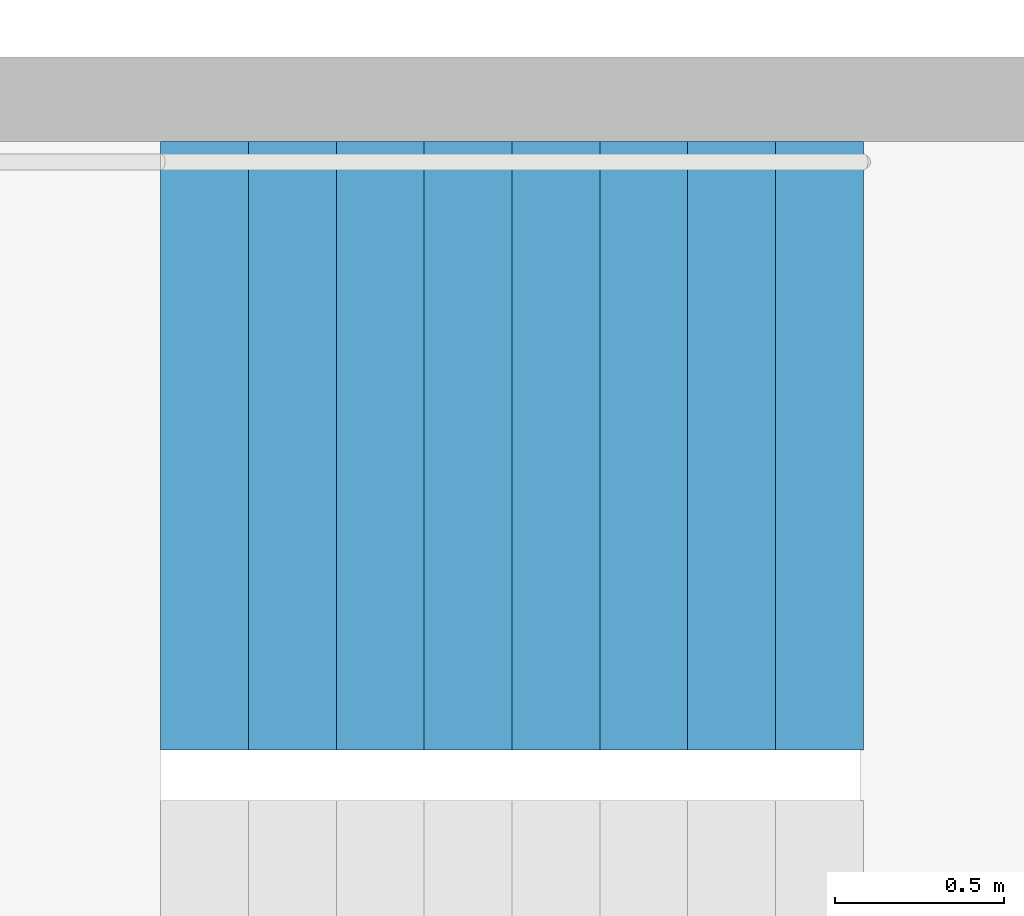
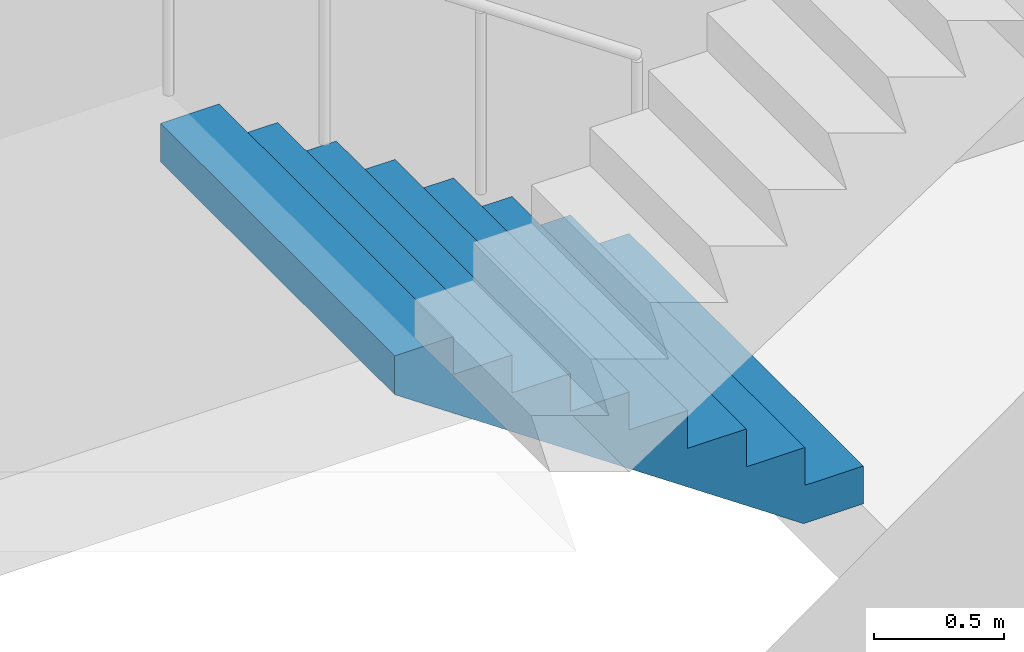
# One storey, part 20 of 27: 1 stair flight, 1 element without a shape of its own.
"""IFC4 building model written with IfcOpenShell, lengths in metres."""

import ifcopenshell
import ifcopenshell.guid

model = None  # the IFC model being written
_history = None  # IfcOwnerHistory: only IFC2X3 demands one
_inside = {}  # id of a spatial element -> (the spatial element, [elements in it])
_under = {}  # id of a project, library or spatial element -> (it, [spatial elements below it])
_declared = {}  # id of a project -> (the project, [libraries it declares])
_typed = {}  # id of a type object -> (the type object, [elements of that type])
_made_of = {}  # id of a material, layer set ... -> (it, [elements and type objects made of it])


def new_model(schema):
    """Start an empty IFC model of exactly this schema.

    Asked for "IFC4X3", IfcOpenShell would pick the latest addendum, in which some entities
    have other attributes; the version numbers below select the first issue.
    IFC2X3 requires an IfcOwnerHistory on every rooted entity: one is made here for all.
    """
    global model, _history
    if schema == "IFC4X3":
        model = ifcopenshell.file(schema_version=(4, 3, 0, 0))
    else:
        model = ifcopenshell.file(schema=schema)
    _inside.clear()
    _under.clear()
    _declared.clear()
    _typed.clear()
    _made_of.clear()
    _history = None
    if model.schema == "IFC2X3":
        org = make("IfcOrganization", Name="unknown")
        user = make(
            "IfcPersonAndOrganization",
            ThePerson=make("IfcPerson", FamilyName="unknown"),
            TheOrganization=org,
        )
        app = make(
            "IfcApplication",
            ApplicationDeveloper=org,
            Version="unknown",
            ApplicationFullName="unknown",
            ApplicationIdentifier="unknown",
        )
        _history = make(
            "IfcOwnerHistory",
            OwningUser=user,
            OwningApplication=app,
            ChangeAction="ADDED",
            CreationDate=0,
        )
    return model


def make(cls, **values):
    """One entity of the class cls with the attributes given. An attribute that is None is left unset."""
    return model.create_entity(
        cls, **{name: value for name, value in values.items() if value is not None}
    )


def rooted(cls, **values):
    """An entity with a GlobalId (a new one), such as an element, a storey or a relation."""
    return make(cls, GlobalId=ifcopenshell.guid.new(), OwnerHistory=_history, **values)


def si_unit(unit_type, name, prefix=None):
    """IfcSIUnit, for example si_unit("LENGTHUNIT", "METRE", prefix="MILLI")."""
    return make("IfcSIUnit", UnitType=unit_type, Prefix=prefix, Name=name)


def assignment(units):
    """IfcUnitAssignment: the units of a project."""
    return None if units is None else make("IfcUnitAssignment", Units=units)


def point(xyz):
    """IfcCartesianPoint."""
    return None if xyz is None else make("IfcCartesianPoint", Coordinates=xyz)


def direction(xyz):
    """IfcDirection."""
    return None if xyz is None else make("IfcDirection", DirectionRatios=xyz)


def frame(location, z_axis=None, x_axis=None):
    """IfcAxis2Placement3D, a coordinate frame: its origin and axes. An axis left out is left unset."""
    return make(
        "IfcAxis2Placement3D",
        Location=point(location),
        Axis=direction(z_axis),
        RefDirection=direction(x_axis),
    )


def origin():
    """The frame at (0, 0, 0) with its axes left unset."""
    return frame((0.0, 0.0, 0.0))


def place(relative_to, where):
    """IfcLocalPlacement: puts the frame where relative to a parent placement (None: the world)."""
    return make(
        "IfcLocalPlacement", PlacementRelTo=relative_to, RelativePlacement=where
    )


def context(
    kind, dimensions, precision=None, world=None, true_north=None, identifier=None
):
    """IfcGeometricRepresentationContext, for example the 3D "Model" context."""
    return make(
        "IfcGeometricRepresentationContext",
        ContextIdentifier=identifier,
        ContextType=kind,
        CoordinateSpaceDimension=dimensions,
        Precision=precision,
        WorldCoordinateSystem=world,
        TrueNorth=true_north,
    )


def subcontext(parent, identifier, kind, view, scale=None):
    """IfcGeometricRepresentationSubContext, for example "Body" below "Model"."""
    return make(
        "IfcGeometricRepresentationSubContext",
        ContextIdentifier=identifier,
        ContextType=kind,
        ParentContext=parent,
        TargetScale=scale,
        TargetView=view,
    )


def project(units=None, contexts=None):
    """IfcProject with its units and contexts."""
    return rooted(
        "IfcProject",
        Name="project",
        RepresentationContexts=contexts,
        UnitsInContext=assignment(units),
    )


def spatial(cls, under=None, at=None, **own):
    """A site, building, storey or space (cls), placed at a placement, below another one or the project."""
    s = rooted(cls, ObjectPlacement=at, **own)
    if under is not None:
        _under.setdefault(under.id(), (under, []))[1].append(s)
    return s


def point_list(points):
    """IfcCartesianPointList2D or 3D."""
    cls = (
        "IfcCartesianPointList2D" if len(points[0]) == 2 else "IfcCartesianPointList3D"
    )
    return make(cls, CoordList=points)


def triangles(points, corners, closed=None, point_numbers=None):
    """IfcTriangulatedFaceSet: each triangle names its three corners, points numbered from 1."""
    return make(
        "IfcTriangulatedFaceSet",
        Coordinates=point_list(points),
        Closed=closed,
        CoordIndex=corners,
        PnIndex=point_numbers,
    )


def shape(context_of_items, identifier, shape_type, items):
    """IfcShapeRepresentation: the items that make up one representation, for example the "Body"."""
    return make(
        "IfcShapeRepresentation",
        ContextOfItems=context_of_items,
        RepresentationIdentifier=identifier,
        RepresentationType=shape_type,
        Items=items,
    )


def material(Name=None, Category=None):
    """IfcMaterial."""
    return make("IfcMaterial", Name=Name, Category=Category)


def made_of(thing, what):
    """Note that an element or type object is made of a material, layer set ...; save() writes the relation."""
    if what is not None:
        _made_of.setdefault(what.id(), (what, []))[1].append(thing)
    return thing


def type_object(cls, material=None, **own):
    """A type object (cls), such as IfcWallType, which elements share."""
    return made_of(rooted(cls, **own), material)


def element(
    cls,
    number,
    at=None,
    inside=None,
    cuts=None,
    type_object=None,
    material=None,
    context=None,
    identifier="Body",
    shape_type=None,
    held_by="IfcProductDefinitionShape",
    body=None,
    shapes=None,
    **own,
):
    """One element of the class cls, such as IfcWall. Its Tag is "e" and its number.

    at: its placement. inside: the storey or other place that contains it. cuts: it is an
    opening in that element (IfcRelVoidsElement). A single representation is given by context,
    identifier, shape_type and body (its items); several are given by shapes. held_by: the class
    of the entity that holds the representations. save() writes the other relations.
    """
    e = rooted(cls, Tag="e%d" % number, ObjectPlacement=at, **own)
    if body is not None:
        shapes = [shape(context, identifier, shape_type, body)]
    if shapes is not None:
        e.Representation = make(held_by, Representations=shapes)
    if inside is not None:
        _inside.setdefault(inside.id(), (inside, []))[1].append(e)
    if cuts is not None:
        rooted(
            "IfcRelVoidsElement", RelatingBuildingElement=cuts, RelatedOpeningElement=e
        )
    if type_object is not None:
        _typed.setdefault(type_object.id(), (type_object, []))[1].append(e)
    return made_of(e, material)


def aggregate(whole, parts):
    """IfcRelAggregates: a whole, such as a stair, and the parts it consists of."""
    return rooted("IfcRelAggregates", RelatingObject=whole, RelatedObjects=parts)


def save(model, path):
    """Write the relations noted so far, then the file.

    IfcRelAggregates (storeys below a building ...), IfcRelContainedInSpatialStructure (elements
    in a storey), IfcRelDefinesByType, IfcRelAssociatesMaterial and IfcRelDeclares: one each for
    every whole, place, type object, material and project.
    """
    for whole, parts in _under.values():
        aggregate(whole, parts)
    for where, things in _inside.values():
        rooted(
            "IfcRelContainedInSpatialStructure",
            RelatedElements=things,
            RelatingStructure=where,
        )
    for kind, things in _typed.values():
        rooted("IfcRelDefinesByType", RelatedObjects=things, RelatingType=kind)
    for what, things in _made_of.values():
        rooted("IfcRelAssociatesMaterial", RelatedObjects=things, RelatingMaterial=what)
    for by, libraries in _declared.values():
        rooted("IfcRelDeclares", RelatingContext=by, RelatedDefinitions=libraries)
    model.write(path)


model = new_model("IFC4")

# Units and contexts
model_context = context("Model", 3, precision=1e-05, world=origin(), true_north=direction((0.0, 1.0)))
body_context = subcontext(model_context, "Body", "Model", "MODEL_VIEW")
ifc_project = project(units=[si_unit("LENGTHUNIT", "METRE"), si_unit("AREAUNIT", "SQUARE_METRE"), si_unit("VOLUMEUNIT", "CUBIC_METRE"), si_unit("PLANEANGLEUNIT", "RADIAN"), si_unit("MASSUNIT", "GRAM", prefix="KILO")], contexts=[model_context])

# Site, building, storey
site_placement = place(None, origin())
site = spatial("IfcSite", under=ifc_project, at=site_placement, CompositionType="ELEMENT")
building_placement = place(site_placement, origin())
building = spatial("IfcBuilding", under=site, at=building_placement, Name="Hakoniwa Tower and Hamabe Station Hall", CompositionType="ELEMENT")
storey_placement = place(building_placement, frame((0.0, 0.0, 166.199951171875)))
storey = spatial("IfcBuildingStorey", under=building, at=storey_placement, Name="L47", CompositionType="ELEMENT", Elevation=166.199951171875)

# Stair, stair flight
ifc_material_1 = material(Name="Concrete C40", Category="concrete")
stair_type = type_object("IfcStairType", Name="ESCAPE STAIR 1800", PredefinedType="HALF_TURN_STAIR", material=ifc_material_1)
stair_placement = place(storey_placement, origin())
stair = element("IfcStair", 1, at=stair_placement, inside=storey, type_object=stair_type, Name="Escape stair ST-2 L47", PredefinedType="HALF_TURN_STAIR")
ifc_material_2 = material(Name="Concrete C40", Category="concrete")
stair_flight_type = type_object("IfcStairFlightType", Name="STAIR FLIGHT 1800", PredefinedType="STRAIGHT", material=ifc_material_2)
stair_flight_placement = place(storey_placement, frame((-23.39990234375, -4.64990234375, 0.0), z_axis=(0.0, 0.0, 1.0), x_axis=(-1.0, 0.0, 0.0)))
stair_flight = element("IfcStairFlight", 2, at=stair_flight_placement, type_object=stair_flight_type, Name="ST-2 flight 1", NumberOfRisers=9, NumberOfTreads=8, PredefinedType="STRAIGHT", RiserHeight=0.177777778, TreadLength=0.26, context=body_context, shape_type="Tessellation", body=[
    triangles([(0.0, 0.89990234375, 0.0), (0.260009765625, 0.89990234375, 0.0), (0.265625, 0.89990234375, 0.0), (0.52001953125, 0.89990234375, 0.174072265625), (0.780029296875, 0.89990234375, 0.351806640625), (1.0400390625, 0.89990234375, 0.529541015625), (1.300048828125, 0.89990234375, 0.707275390625), (1.56005859375, 0.89990234375, 0.885009765625), (1.820068359375, 0.89990234375, 1.062744140625), (2.080078125, 0.89990234375, 1.24072265625), (2.080078125, 0.89990234375, 1.422119140625), (1.820068359375, 0.89990234375, 1.422119140625), (1.820068359375, 0.89990234375, 1.244384765625), (1.56005859375, 0.89990234375, 1.244384765625), (1.56005859375, 0.89990234375, 1.066650390625), (1.300048828125, 0.89990234375, 1.066650390625), (1.300048828125, 0.89990234375, 0.888916015625), (1.0400390625, 0.89990234375, 0.888916015625), (1.0400390625, 0.89990234375, 0.711181640625), (0.780029296875, 0.89990234375, 0.711181640625), (0.780029296875, 0.89990234375, 0.533447265625), (0.52001953125, 0.89990234375, 0.533447265625), (0.52001953125, 0.89990234375, 0.35546875), (0.265625, 0.89990234375, 0.35546875), (0.260009765625, 0.89990234375, 0.35546875), (0.260009765625, 0.89990234375, 0.177734375), (0.0, 0.89990234375, 0.177734375), (0.0, 0.06005859375, 0.0), (0.260009765625, 0.06005859375, 0.0), (0.265625, 0.06005859375, 0.0), (0.52001953125, 0.06005859375, 0.174072265625), (0.780029296875, 0.06005859375, 0.351806640625), (1.0400390625, 0.06005859375, 0.529541015625), (1.300048828125, 0.06005859375, 0.707275390625), (1.56005859375, 0.06005859375, 0.885009765625), (1.820068359375, 0.06005859375, 1.062744140625), (2.080078125, 0.06005859375, 1.24072265625), (2.080078125, 0.06005859375, 1.422119140625), (1.820068359375, 0.06005859375, 1.422119140625), (1.820068359375, 0.06005859375, 1.244384765625), (1.56005859375, 0.06005859375, 1.244384765625), (1.56005859375, 0.06005859375, 1.066650390625), (1.300048828125, 0.06005859375, 1.066650390625), (1.300048828125, 0.06005859375, 0.888916015625), (1.0400390625, 0.06005859375, 0.888916015625), (1.0400390625, 0.06005859375, 0.711181640625), (0.780029296875, 0.06005859375, 0.711181640625), (0.780029296875, 0.06005859375, 0.533447265625), (0.52001953125, 0.06005859375, 0.533447265625), (0.52001953125, 0.06005859375, 0.35546875), (0.265625, 0.06005859375, 0.35546875), (0.260009765625, 0.06005859375, 0.35546875), (0.260009765625, 0.06005859375, 0.177734375), (0.0, 0.06005859375, 0.177734375), (0.0, 0.04296875, 0.0), (0.260009765625, 0.04296875, 0.0), (0.265625, 0.04296875, 0.0), (0.52001953125, 0.04296875, 0.174072265625), (0.780029296875, 0.04296875, 0.351806640625), (1.0400390625, 0.04296875, 0.529541015625), (1.300048828125, 0.04296875, 0.707275390625), (1.56005859375, 0.04296875, 0.885009765625), (1.820068359375, 0.04296875, 1.062744140625), (2.080078125, 0.04296875, 1.24072265625), (2.080078125, 0.04296875, 1.422119140625), (1.820068359375, 0.04296875, 1.422119140625), (1.820068359375, 0.04296875, 1.244384765625), (1.56005859375, 0.04296875, 1.244384765625), (1.56005859375, 0.04296875, 1.066650390625), (1.300048828125, 0.04296875, 1.066650390625), (1.300048828125, 0.04296875, 0.888916015625), (1.0400390625, 0.04296875, 0.888916015625), (1.0400390625, 0.04296875, 0.711181640625), (0.780029296875, 0.04296875, 0.711181640625), (0.780029296875, 0.04296875, 0.533447265625), (0.52001953125, 0.04296875, 0.533447265625), (0.52001953125, 0.04296875, 0.35546875), (0.265625, 0.04296875, 0.35546875), (0.260009765625, 0.04296875, 0.35546875), (0.260009765625, 0.04296875, 0.177734375), (0.0, 0.04296875, 0.177734375), (0.0, 0.025634765625, 0.0), (0.260009765625, 0.025634765625, 0.0), (0.265625, 0.025634765625, 0.0), (0.52001953125, 0.025634765625, 0.174072265625), (0.780029296875, 0.025634765625, 0.351806640625), (1.0400390625, 0.025634765625, 0.529541015625), (1.300048828125, 0.025634765625, 0.707275390625), (1.56005859375, 0.025634765625, 0.885009765625), (1.820068359375, 0.025634765625, 1.062744140625), (2.080078125, 0.025634765625, 1.24072265625), (2.080078125, 0.025634765625, 1.422119140625), (1.820068359375, 0.025634765625, 1.422119140625), (1.820068359375, 0.025634765625, 1.244384765625), (1.56005859375, 0.025634765625, 1.244384765625), (1.56005859375, 0.025634765625, 1.066650390625), (1.300048828125, 0.025634765625, 1.066650390625), (1.300048828125, 0.025634765625, 0.888916015625), (1.0400390625, 0.025634765625, 0.888916015625), (1.0400390625, 0.025634765625, 0.711181640625), (0.780029296875, 0.025634765625, 0.711181640625), (0.780029296875, 0.025634765625, 0.533447265625), (0.52001953125, 0.025634765625, 0.533447265625), (0.52001953125, 0.025634765625, 0.35546875), (0.265625, 0.025634765625, 0.35546875), (0.260009765625, 0.025634765625, 0.35546875), (0.260009765625, 0.025634765625, 0.177734375), (0.0, 0.025634765625, 0.177734375), (0.0, 0.008544921875, 0.0), (0.260009765625, 0.008544921875, 0.0), (0.265625, 0.008544921875, 0.0), (0.52001953125, 0.008544921875, 0.174072265625), (0.780029296875, 0.008544921875, 0.351806640625), (1.0400390625, 0.008544921875, 0.529541015625), (1.300048828125, 0.008544921875, 0.707275390625), (1.56005859375, 0.008544921875, 0.885009765625), (1.820068359375, 0.008544921875, 1.062744140625), (2.080078125, 0.008544921875, 1.24072265625), (2.080078125, 0.008544921875, 1.422119140625), (1.820068359375, 0.008544921875, 1.422119140625), (1.820068359375, 0.008544921875, 1.244384765625), (1.56005859375, 0.008544921875, 1.244384765625), (1.56005859375, 0.008544921875, 1.066650390625), (1.300048828125, 0.008544921875, 1.066650390625), (1.300048828125, 0.008544921875, 0.888916015625), (1.0400390625, 0.008544921875, 0.888916015625), (1.0400390625, 0.008544921875, 0.711181640625), (0.780029296875, 0.008544921875, 0.711181640625), (0.780029296875, 0.008544921875, 0.533447265625), (0.52001953125, 0.008544921875, 0.533447265625), (0.52001953125, 0.008544921875, 0.35546875), (0.265625, 0.008544921875, 0.35546875), (0.260009765625, 0.008544921875, 0.35546875), (0.260009765625, 0.008544921875, 0.177734375), (0.0, 0.008544921875, 0.177734375), (0.0, -0.008544921875, 0.0), (0.260009765625, -0.008544921875, 0.0), (0.265625, -0.008544921875, 0.0), (0.52001953125, -0.008544921875, 0.174072265625), (0.780029296875, -0.008544921875, 0.351806640625), (1.0400390625, -0.008544921875, 0.529541015625), (1.300048828125, -0.008544921875, 0.707275390625), (1.56005859375, -0.008544921875, 0.885009765625), (1.820068359375, -0.008544921875, 1.062744140625), (2.080078125, -0.008544921875, 1.24072265625), (2.080078125, -0.008544921875, 1.422119140625), (1.820068359375, -0.008544921875, 1.422119140625), (1.820068359375, -0.008544921875, 1.244384765625), (1.56005859375, -0.008544921875, 1.244384765625), (1.56005859375, -0.008544921875, 1.066650390625), (1.300048828125, -0.008544921875, 1.066650390625), (1.300048828125, -0.008544921875, 0.888916015625), (1.0400390625, -0.008544921875, 0.888916015625), (1.0400390625, -0.008544921875, 0.711181640625), (0.780029296875, -0.008544921875, 0.711181640625), (0.780029296875, -0.008544921875, 0.533447265625), (0.52001953125, -0.008544921875, 0.533447265625), (0.52001953125, -0.008544921875, 0.35546875), (0.265625, -0.008544921875, 0.35546875), (0.260009765625, -0.008544921875, 0.35546875), (0.260009765625, -0.008544921875, 0.177734375), (0.0, -0.008544921875, 0.177734375), (0.0, -0.025634765625, 0.0), (0.260009765625, -0.025634765625, 0.0), (0.265625, -0.025634765625, 0.0), (0.52001953125, -0.025634765625, 0.174072265625), (0.780029296875, -0.025634765625, 0.351806640625), (1.0400390625, -0.025634765625, 0.529541015625), (1.300048828125, -0.025634765625, 0.707275390625), (1.56005859375, -0.025634765625, 0.885009765625), (1.820068359375, -0.025634765625, 1.062744140625), (2.080078125, -0.025634765625, 1.24072265625), (2.080078125, -0.025634765625, 1.422119140625), (1.820068359375, -0.025634765625, 1.422119140625), (1.820068359375, -0.025634765625, 1.244384765625), (1.56005859375, -0.025634765625, 1.244384765625), (1.56005859375, -0.025634765625, 1.066650390625), (1.300048828125, -0.025634765625, 1.066650390625), (1.300048828125, -0.025634765625, 0.888916015625), (1.0400390625, -0.025634765625, 0.888916015625), (1.0400390625, -0.025634765625, 0.711181640625), (0.780029296875, -0.025634765625, 0.711181640625), (0.780029296875, -0.025634765625, 0.533447265625), (0.52001953125, -0.025634765625, 0.533447265625), (0.52001953125, -0.025634765625, 0.35546875), (0.265625, -0.025634765625, 0.35546875), (0.260009765625, -0.025634765625, 0.35546875), (0.260009765625, -0.025634765625, 0.177734375), (0.0, -0.025634765625, 0.177734375), (0.0, -0.04296875, 0.0), (0.260009765625, -0.04296875, 0.0), (0.265625, -0.04296875, 0.0), (0.52001953125, -0.04296875, 0.174072265625), (0.780029296875, -0.04296875, 0.351806640625), (1.0400390625, -0.04296875, 0.529541015625), (1.300048828125, -0.04296875, 0.707275390625), (1.56005859375, -0.04296875, 0.885009765625), (1.820068359375, -0.04296875, 1.062744140625), (2.080078125, -0.04296875, 1.24072265625), (2.080078125, -0.04296875, 1.422119140625), (1.820068359375, -0.04296875, 1.422119140625), (1.820068359375, -0.04296875, 1.244384765625), (1.56005859375, -0.04296875, 1.244384765625), (1.56005859375, -0.04296875, 1.066650390625), (1.300048828125, -0.04296875, 1.066650390625), (1.300048828125, -0.04296875, 0.888916015625), (1.0400390625, -0.04296875, 0.888916015625), (1.0400390625, -0.04296875, 0.711181640625), (0.780029296875, -0.04296875, 0.711181640625), (0.780029296875, -0.04296875, 0.533447265625), (0.52001953125, -0.04296875, 0.533447265625), (0.52001953125, -0.04296875, 0.35546875), (0.265625, -0.04296875, 0.35546875), (0.260009765625, -0.04296875, 0.35546875), (0.260009765625, -0.04296875, 0.177734375), (0.0, -0.04296875, 0.177734375), (0.0, -0.06005859375, 0.0), (0.260009765625, -0.06005859375, 0.0), (0.265625, -0.06005859375, 0.0), (0.52001953125, -0.06005859375, 0.174072265625), (0.780029296875, -0.06005859375, 0.351806640625), (1.0400390625, -0.06005859375, 0.529541015625), (1.300048828125, -0.06005859375, 0.707275390625), (1.56005859375, -0.06005859375, 0.885009765625), (1.820068359375, -0.06005859375, 1.062744140625), (2.080078125, -0.06005859375, 1.24072265625), (2.080078125, -0.06005859375, 1.422119140625), (1.820068359375, -0.06005859375, 1.422119140625), (1.820068359375, -0.06005859375, 1.244384765625), (1.56005859375, -0.06005859375, 1.244384765625), (1.56005859375, -0.06005859375, 1.066650390625), (1.300048828125, -0.06005859375, 1.066650390625), (1.300048828125, -0.06005859375, 0.888916015625), (1.0400390625, -0.06005859375, 0.888916015625), (1.0400390625, -0.06005859375, 0.711181640625), (0.780029296875, -0.06005859375, 0.711181640625), (0.780029296875, -0.06005859375, 0.533447265625), (0.52001953125, -0.06005859375, 0.533447265625), (0.52001953125, -0.06005859375, 0.35546875), (0.265625, -0.06005859375, 0.35546875), (0.260009765625, -0.06005859375, 0.35546875), (0.260009765625, -0.06005859375, 0.177734375), (0.0, -0.06005859375, 0.177734375), (0.0, -0.89990234375, 0.0), (0.260009765625, -0.89990234375, 0.0), (0.265625, -0.89990234375, 0.0), (0.52001953125, -0.89990234375, 0.174072265625), (0.780029296875, -0.89990234375, 0.351806640625), (1.0400390625, -0.89990234375, 0.529541015625), (1.300048828125, -0.89990234375, 0.707275390625), (1.56005859375, -0.89990234375, 0.885009765625), (1.820068359375, -0.89990234375, 1.062744140625), (2.080078125, -0.89990234375, 1.24072265625), (2.080078125, -0.89990234375, 1.422119140625), (1.820068359375, -0.89990234375, 1.422119140625), (1.820068359375, -0.89990234375, 1.244384765625), (1.56005859375, -0.89990234375, 1.244384765625), (1.56005859375, -0.89990234375, 1.066650390625), (1.300048828125, -0.89990234375, 1.066650390625), (1.300048828125, -0.89990234375, 0.888916015625), (1.0400390625, -0.89990234375, 0.888916015625), (1.0400390625, -0.89990234375, 0.711181640625), (0.780029296875, -0.89990234375, 0.711181640625), (0.780029296875, -0.89990234375, 0.533447265625), (0.52001953125, -0.89990234375, 0.533447265625), (0.52001953125, -0.89990234375, 0.35546875), (0.265625, -0.89990234375, 0.35546875), (0.260009765625, -0.89990234375, 0.35546875), (0.260009765625, -0.89990234375, 0.177734375), (0.0, -0.89990234375, 0.177734375)], [[2, 27, 26], [245, 269, 270], [2, 1, 27], [245, 270, 244], [3, 25, 24], [246, 267, 268], [3, 26, 25], [246, 268, 269], [3, 2, 26], [246, 269, 245], [4, 24, 23], [247, 266, 267], [4, 3, 24], [247, 267, 246], [5, 22, 21], [248, 264, 265], [5, 23, 22], [248, 265, 266], [5, 4, 23], [248, 266, 247], [6, 20, 19], [249, 262, 263], [6, 21, 20], [249, 263, 264], [6, 5, 21], [249, 264, 248], [7, 18, 17], [250, 260, 261], [7, 19, 18], [250, 261, 262], [7, 6, 19], [250, 262, 249], [8, 16, 15], [251, 258, 259], [8, 17, 16], [251, 259, 260], [8, 7, 17], [251, 260, 250], [9, 14, 13], [252, 256, 257], [9, 15, 14], [252, 257, 258], [9, 8, 15], [252, 258, 251], [10, 12, 11], [253, 254, 255], [10, 13, 12], [253, 255, 256], [10, 9, 13], [253, 256, 252], [1, 2, 29], [1, 29, 28], [28, 29, 56], [28, 56, 55], [55, 56, 83], [55, 83, 82], [82, 83, 110], [82, 110, 109], [109, 110, 137], [109, 137, 136], [136, 137, 164], [136, 164, 163], [163, 164, 191], [163, 191, 190], [190, 191, 218], [190, 218, 217], [217, 218, 245], [217, 245, 244], [2, 3, 30], [2, 30, 29], [29, 30, 57], [29, 57, 56], [56, 57, 84], [56, 84, 83], [83, 84, 111], [83, 111, 110], [110, 111, 138], [110, 138, 137], [137, 138, 165], [137, 165, 164], [164, 165, 192], [164, 192, 191], [191, 192, 219], [191, 219, 218], [218, 219, 246], [218, 246, 245], [3, 4, 31], [3, 31, 30], [30, 31, 58], [30, 58, 57], [57, 58, 85], [57, 85, 84], [84, 85, 112], [84, 112, 111], [111, 112, 139], [111, 139, 138], [138, 139, 166], [138, 166, 165], [165, 166, 193], [165, 193, 192], [192, 193, 220], [192, 220, 219], [219, 220, 247], [219, 247, 246], [4, 5, 32], [4, 32, 31], [31, 32, 59], [31, 59, 58], [58, 59, 86], [58, 86, 85], [85, 86, 113], [85, 113, 112], [112, 113, 140], [112, 140, 139], [139, 140, 167], [139, 167, 166], [166, 167, 194], [166, 194, 193], [193, 194, 221], [193, 221, 220], [220, 221, 248], [220, 248, 247], [5, 6, 33], [5, 33, 32], [32, 33, 60], [32, 60, 59], [59, 60, 87], [59, 87, 86], [86, 87, 114], [86, 114, 113], [113, 114, 141], [113, 141, 140], [140, 141, 168], [140, 168, 167], [167, 168, 195], [167, 195, 194], [194, 195, 222], [194, 222, 221], [221, 222, 249], [221, 249, 248], [6, 7, 34], [6, 34, 33], [33, 34, 61], [33, 61, 60], [60, 61, 88], [60, 88, 87], [87, 88, 115], [87, 115, 114], [114, 115, 142], [114, 142, 141], [141, 142, 169], [141, 169, 168], [168, 169, 196], [168, 196, 195], [195, 196, 223], [195, 223, 222], [222, 223, 250], [222, 250, 249], [7, 8, 35], [7, 35, 34], [34, 35, 62], [34, 62, 61], [61, 62, 89], [61, 89, 88], [88, 89, 116], [88, 116, 115], [115, 116, 143], [115, 143, 142], [142, 143, 170], [142, 170, 169], [169, 170, 197], [169, 197, 196], [196, 197, 224], [196, 224, 223], [223, 224, 251], [223, 251, 250], [8, 9, 36], [8, 36, 35], [35, 36, 63], [35, 63, 62], [62, 63, 90], [62, 90, 89], [89, 90, 117], [89, 117, 116], [116, 117, 144], [116, 144, 143], [143, 144, 171], [143, 171, 170], [170, 171, 198], [170, 198, 197], [197, 198, 225], [197, 225, 224], [224, 225, 252], [224, 252, 251], [9, 10, 37], [9, 37, 36], [36, 37, 64], [36, 64, 63], [63, 64, 91], [63, 91, 90], [90, 91, 118], [90, 118, 117], [117, 118, 145], [117, 145, 144], [144, 145, 172], [144, 172, 171], [171, 172, 199], [171, 199, 198], [198, 199, 226], [198, 226, 225], [225, 226, 253], [225, 253, 252], [10, 11, 38], [10, 38, 37], [37, 38, 65], [37, 65, 64], [64, 65, 92], [64, 92, 91], [91, 92, 119], [91, 119, 118], [118, 119, 146], [118, 146, 145], [145, 146, 173], [145, 173, 172], [172, 173, 200], [172, 200, 199], [199, 200, 227], [199, 227, 226], [226, 227, 254], [226, 254, 253], [11, 12, 39], [11, 39, 38], [38, 39, 66], [38, 66, 65], [65, 66, 93], [65, 93, 92], [92, 93, 120], [92, 120, 119], [119, 120, 147], [119, 147, 146], [146, 147, 174], [146, 174, 173], [173, 174, 201], [173, 201, 200], [200, 201, 228], [200, 228, 227], [227, 228, 255], [227, 255, 254], [12, 13, 40], [12, 40, 39], [39, 40, 67], [39, 67, 66], [66, 67, 94], [66, 94, 93], [93, 94, 121], [93, 121, 120], [120, 121, 148], [120, 148, 147], [147, 148, 175], [147, 175, 174], [174, 175, 202], [174, 202, 201], [201, 202, 229], [201, 229, 228], [228, 229, 256], [228, 256, 255], [13, 14, 41], [13, 41, 40], [40, 41, 68], [40, 68, 67], [67, 68, 95], [67, 95, 94], [94, 95, 122], [94, 122, 121], [121, 122, 149], [121, 149, 148], [148, 149, 176], [148, 176, 175], [175, 176, 203], [175, 203, 202], [202, 203, 230], [202, 230, 229], [229, 230, 257], [229, 257, 256], [14, 15, 42], [14, 42, 41], [41, 42, 69], [41, 69, 68], [68, 69, 96], [68, 96, 95], [95, 96, 123], [95, 123, 122], [122, 123, 150], [122, 150, 149], [149, 150, 177], [149, 177, 176], [176, 177, 204], [176, 204, 203], [203, 204, 231], [203, 231, 230], [230, 231, 258], [230, 258, 257], [15, 16, 43], [15, 43, 42], [42, 43, 70], [42, 70, 69], [69, 70, 97], [69, 97, 96], [96, 97, 124], [96, 124, 123], [123, 124, 151], [123, 151, 150], [150, 151, 178], [150, 178, 177], [177, 178, 205], [177, 205, 204], [204, 205, 232], [204, 232, 231], [231, 232, 259], [231, 259, 258], [16, 17, 44], [16, 44, 43], [43, 44, 71], [43, 71, 70], [70, 71, 98], [70, 98, 97], [97, 98, 125], [97, 125, 124], [124, 125, 152], [124, 152, 151], [151, 152, 179], [151, 179, 178], [178, 179, 206], [178, 206, 205], [205, 206, 233], [205, 233, 232], [232, 233, 260], [232, 260, 259], [17, 18, 45], [17, 45, 44], [44, 45, 72], [44, 72, 71], [71, 72, 99], [71, 99, 98], [98, 99, 126], [98, 126, 125], [125, 126, 153], [125, 153, 152], [152, 153, 180], [152, 180, 179], [179, 180, 207], [179, 207, 206], [206, 207, 234], [206, 234, 233], [233, 234, 261], [233, 261, 260], [18, 19, 46], [18, 46, 45], [45, 46, 73], [45, 73, 72], [72, 73, 100], [72, 100, 99], [99, 100, 127], [99, 127, 126], [126, 127, 154], [126, 154, 153], [153, 154, 181], [153, 181, 180], [180, 181, 208], [180, 208, 207], [207, 208, 235], [207, 235, 234], [234, 235, 262], [234, 262, 261], [19, 20, 47], [19, 47, 46], [46, 47, 74], [46, 74, 73], [73, 74, 101], [73, 101, 100], [100, 101, 128], [100, 128, 127], [127, 128, 155], [127, 155, 154], [154, 155, 182], [154, 182, 181], [181, 182, 209], [181, 209, 208], [208, 209, 236], [208, 236, 235], [235, 236, 263], [235, 263, 262], [20, 21, 48], [20, 48, 47], [47, 48, 75], [47, 75, 74], [74, 75, 102], [74, 102, 101], [101, 102, 129], [101, 129, 128], [128, 129, 156], [128, 156, 155], [155, 156, 183], [155, 183, 182], [182, 183, 210], [182, 210, 209], [209, 210, 237], [209, 237, 236], [236, 237, 264], [236, 264, 263], [21, 22, 49], [21, 49, 48], [48, 49, 76], [48, 76, 75], [75, 76, 103], [75, 103, 102], [102, 103, 130], [102, 130, 129], [129, 130, 157], [129, 157, 156], [156, 157, 184], [156, 184, 183], [183, 184, 211], [183, 211, 210], [210, 211, 238], [210, 238, 237], [237, 238, 265], [237, 265, 264], [22, 23, 50], [22, 50, 49], [49, 50, 77], [49, 77, 76], [76, 77, 104], [76, 104, 103], [103, 104, 131], [103, 131, 130], [130, 131, 158], [130, 158, 157], [157, 158, 185], [157, 185, 184], [184, 185, 212], [184, 212, 211], [211, 212, 239], [211, 239, 238], [238, 239, 266], [238, 266, 265], [23, 24, 51], [23, 51, 50], [50, 51, 78], [50, 78, 77], [77, 78, 105], [77, 105, 104], [104, 105, 132], [104, 132, 131], [131, 132, 159], [131, 159, 158], [158, 159, 186], [158, 186, 185], [185, 186, 213], [185, 213, 212], [212, 213, 240], [212, 240, 239], [239, 240, 267], [239, 267, 266], [24, 25, 52], [24, 52, 51], [51, 52, 79], [51, 79, 78], [78, 79, 106], [78, 106, 105], [105, 106, 133], [105, 133, 132], [132, 133, 160], [132, 160, 159], [159, 160, 187], [159, 187, 186], [186, 187, 214], [186, 214, 213], [213, 214, 241], [213, 241, 240], [240, 241, 268], [240, 268, 267], [25, 26, 53], [25, 53, 52], [52, 53, 80], [52, 80, 79], [79, 80, 107], [79, 107, 106], [106, 107, 134], [106, 134, 133], [133, 134, 161], [133, 161, 160], [160, 161, 188], [160, 188, 187], [187, 188, 215], [187, 215, 214], [214, 215, 242], [214, 242, 241], [241, 242, 269], [241, 269, 268], [26, 27, 54], [26, 54, 53], [53, 54, 81], [53, 81, 80], [80, 81, 108], [80, 108, 107], [107, 108, 135], [107, 135, 134], [134, 135, 162], [134, 162, 161], [161, 162, 189], [161, 189, 188], [188, 189, 216], [188, 216, 215], [215, 216, 243], [215, 243, 242], [242, 243, 270], [242, 270, 269], [27, 1, 28], [27, 28, 54], [54, 28, 55], [54, 55, 81], [81, 55, 82], [81, 82, 108], [108, 82, 109], [108, 109, 135], [135, 109, 136], [135, 136, 162], [162, 136, 163], [162, 163, 189], [189, 163, 190], [189, 190, 216], [216, 190, 217], [216, 217, 243], [243, 217, 244], [243, 244, 270]], closed=True),
])
aggregate(stair, [stair_flight])

save(model, "model.ifc")
